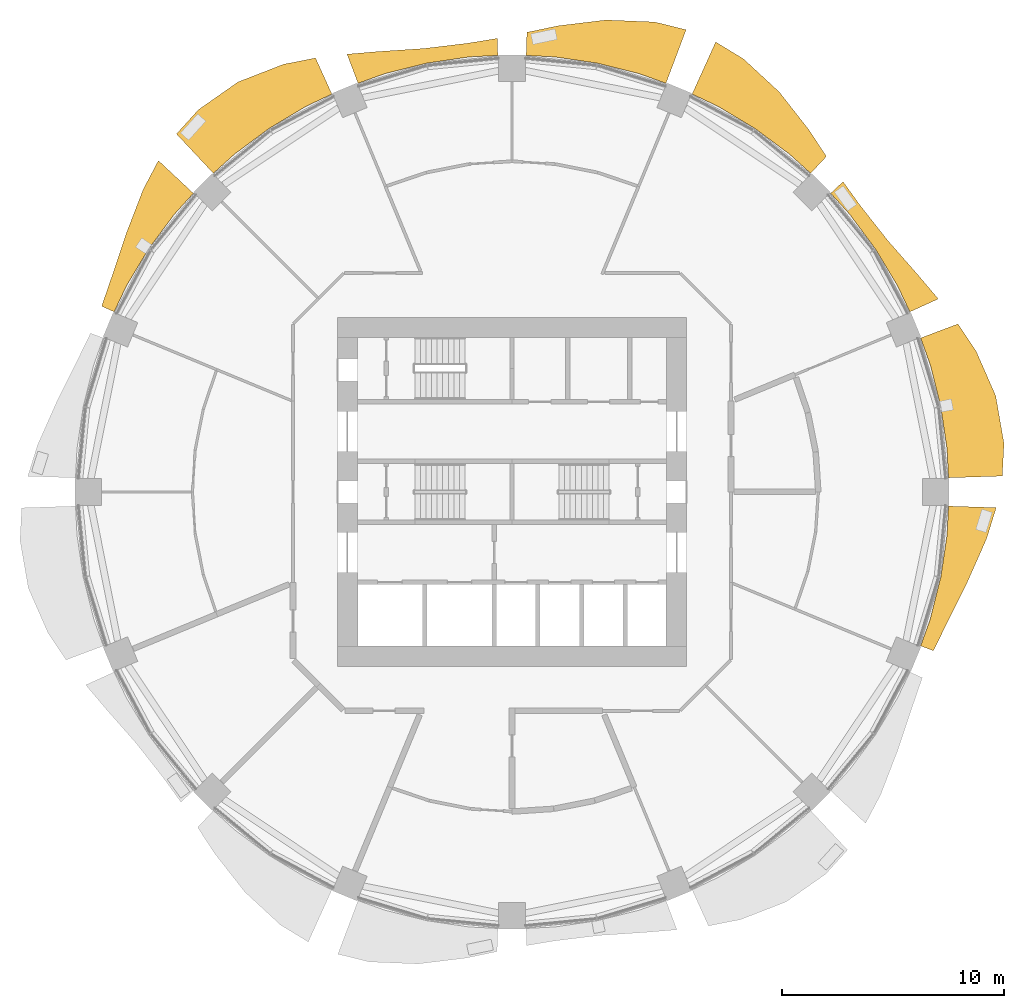
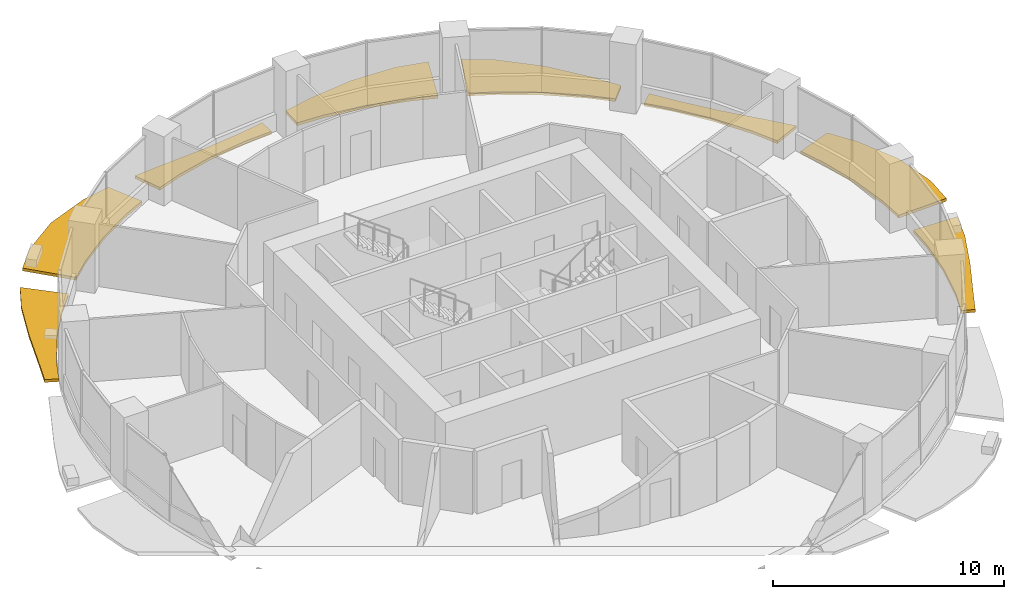
# One storey, part 14 of 15: 8 shading devices.
"""IFC4 building model written with IfcOpenShell, lengths in metres."""

from ifc_helpers import new_model, si_unit, direction, frame, origin, place, context, subcontext, project, spatial, polyline, outline, extrude, material, type_object, element, save


model = new_model("IFC4")

# Units and contexts
model_context = context("Model", 3, precision=1e-05, world=origin(), true_north=direction((0.0, 1.0)))
body_context = subcontext(model_context, "Body", "Model", "MODEL_VIEW")
ifc_project = project(units=[si_unit("LENGTHUNIT", "METRE"), si_unit("AREAUNIT", "SQUARE_METRE"), si_unit("VOLUMEUNIT", "CUBIC_METRE"), si_unit("PLANEANGLEUNIT", "RADIAN"), si_unit("MASSUNIT", "GRAM", prefix="KILO")], contexts=[model_context])

# Site, building, storey
site_placement = place(None, origin())
site = spatial("IfcSite", under=ifc_project, at=site_placement, CompositionType="ELEMENT")
building_placement = place(site_placement, origin())
building = spatial("IfcBuilding", under=site, at=building_placement, Name="Polderwave Tower", CompositionType="ELEMENT")
storey_placement = place(building_placement, frame((0.0, 0.0, 37.14990234375)))
storey = spatial("IfcBuildingStorey", under=building, at=storey_placement, Name="L09", CompositionType="ELEMENT", Elevation=37.14990234375)

# Shading devices
ifc_material = material(Name="Terracotta", Category="masonry")
shading_device_type = type_object("IfcShadingDeviceType", Name="Terracotta sunshade band", PredefinedType="USERDEFINED", material=ifc_material)
shading_device_1_placement = place(storey_placement, frame((0.0, 0.0, -0.349853515625)))
element("IfcShadingDevice", 1, at=shading_device_1_placement, inside=storey, type_object=shading_device_type, Name="Sunshade band L09 1", ObjectType="SUNSHADE", PredefinedType="USERDEFINED", context=body_context, shape_type="SweptSolid", body=[
    extrude(outline(polyline([(19.6787109375, 0.637939453125), (19.614990234375, 1.931884765625), (19.331298828125, 3.84521484375), (18.861328125, 5.721435546875), (18.4248046875, 6.94140625), (20.105712890625, 7.57470703125), (20.926513671875, 6.347900390625), (21.807861328125, 4.337890625), (22.182861328125, 2.184814453125), (22.10595703125, 0.716552734375), (19.6787109375, 0.637939453125)])), origin(), (0.0, 0.0, 1.0), 0.14990234375),
])
shading_device_2_placement = place(storey_placement, frame((0.0, 0.0, -0.349853515625)))
element("IfcShadingDevice", 2, at=shading_device_2_placement, inside=storey, type_object=shading_device_type, Name="Sunshade band L09 2", ObjectType="SUNSHADE", PredefinedType="USERDEFINED", context=body_context, shape_type="SweptSolid", body=[
    extrude(outline(polyline([(17.9365234375, 8.1201171875), (17.3828125, 9.291259765625), (16.38818359375, 10.9501953125), (15.236083984375, 12.50390625), (14.365966796875, 13.4638671875), (14.92626953125, 13.989013671875), (15.714111328125, 12.896240234375), (16.951416015625, 11.32666015625), (18.30615234375, 9.784912109375), (19.22119140625, 8.701416015625), (17.9365234375, 8.1201171875)])), origin(), (0.0, 0.0, 1.0), 0.14990234375),
])
shading_device_3_placement = place(storey_placement, frame((0.0, 0.0, -0.349853515625)))
element("IfcShadingDevice", 3, at=shading_device_3_placement, inside=storey, type_object=shading_device_type, Name="Sunshade band L09 3", ObjectType="SUNSHADE", PredefinedType="USERDEFINED", context=body_context, shape_type="SweptSolid", body=[
    extrude(outline(polyline([(13.4638671875, 14.365966796875), (12.50390625, 15.236083984375), (10.9501953125, 16.38818359375), (9.291259765625, 17.3828125), (8.1201171875, 17.9365234375), (9.184326171875, 20.28759765625), (10.4365234375, 19.525390625), (12.05029296875, 18.0341796875), (13.393310546875, 16.319580078125), (14.17529296875, 15.125), (13.4638671875, 14.365966796875)])), origin(), (0.0, 0.0, 1.0), 0.14990234375),
])
shading_device_4_placement = place(storey_placement, frame((0.0, 0.0, -0.349853515625)))
element("IfcShadingDevice", 4, at=shading_device_4_placement, inside=storey, type_object=shading_device_type, Name="Sunshade band L09 4", ObjectType="SUNSHADE", PredefinedType="USERDEFINED", context=body_context, shape_type="SweptSolid", body=[
    extrude(outline(polyline([(6.94140625, 18.4248046875), (5.721435546875, 18.861328125), (3.84521484375, 19.331298828125), (1.931884765625, 19.614990234375), (0.637939453125, 19.6787109375), (0.671875, 20.7236328125), (2.06982421875, 21.016357421875), (4.232666015625, 21.27880859375), (6.427734375, 21.189697265625), (7.8515625, 20.8408203125), (6.94140625, 18.4248046875)])), origin(), (0.0, 0.0, 1.0), 0.14990234375),
])
shading_device_5_placement = place(storey_placement, frame((0.0, 0.0, -0.349853515625)))
element("IfcShadingDevice", 5, at=shading_device_5_placement, inside=storey, type_object=shading_device_type, Name="Sunshade band L09 5", ObjectType="SUNSHADE", PredefinedType="USERDEFINED", context=body_context, shape_type="SweptSolid", body=[
    extrude(outline(polyline([(-0.637939453125, 19.6787109375), (-1.931884765625, 19.614990234375), (-3.84521484375, 19.331298828125), (-5.721435546875, 18.861328125), (-6.94140625, 18.4248046875), (-7.436279296875, 19.73828125), (-6.02392578125, 19.858154296875), (-3.976806640625, 19.9931640625), (-1.99267578125, 20.23193359375), (-0.662841796875, 20.44970703125), (-0.637939453125, 19.6787109375)])), origin(), (0.0, 0.0, 1.0), 0.14990234375),
])
shading_device_6_placement = place(storey_placement, frame((0.0, 0.0, -0.349853515625)))
element("IfcShadingDevice", 6, at=shading_device_6_placement, inside=storey, type_object=shading_device_type, Name="Sunshade band L09 6", ObjectType="SUNSHADE", PredefinedType="USERDEFINED", context=body_context, shape_type="SweptSolid", body=[
    extrude(outline(polyline([(-8.1201171875, 17.9365234375), (-9.291259765625, 17.3828125), (-10.9501953125, 16.38818359375), (-12.50390625, 15.236083984375), (-13.4638671875, 14.365966796875), (-15.127197265625, 16.140625), (-14.1416015625, 17.2314453125), (-12.351806640625, 18.48583984375), (-10.30615234375, 19.281494140625), (-8.8583984375, 19.5673828125), (-8.1201171875, 17.9365234375)])), origin(), (0.0, 0.0, 1.0), 0.14990234375),
])
shading_device_7_placement = place(storey_placement, frame((0.0, 0.0, -0.349853515625)))
element("IfcShadingDevice", 7, at=shading_device_7_placement, inside=storey, type_object=shading_device_type, Name="Sunshade band L09 7", ObjectType="SUNSHADE", PredefinedType="USERDEFINED", context=body_context, shape_type="SweptSolid", body=[
    extrude(outline(polyline([(-14.365966796875, 13.4638671875), (-15.236083984375, 12.50390625), (-16.38818359375, 10.9501953125), (-17.3828125, 9.291259765625), (-17.9365234375, 8.1201171875), (-18.5009765625, 8.37548828125), (-18.06201171875, 9.654296875), (-17.40283203125, 11.628173828125), (-16.626220703125, 13.644775390625), (-15.94189453125, 14.94091796875), (-14.365966796875, 13.4638671875)])), origin(), (0.0, 0.0, 1.0), 0.14990234375),
])
shading_device_8_placement = place(storey_placement, frame((0.0, 0.0, -0.349853515625)))
element("IfcShadingDevice", 8, at=shading_device_8_placement, inside=storey, type_object=shading_device_type, Name="Sunshade band L09 16", ObjectType="SUNSHADE", PredefinedType="USERDEFINED", context=body_context, shape_type="SweptSolid", body=[
    extrude(outline(polyline([(18.4248046875, -6.94140625), (18.861328125, -5.721435546875), (19.331298828125, -3.84521484375), (19.614990234375, -1.931884765625), (19.6787109375, -0.637939453125), (21.83203125, -0.707763671875), (21.3984375, -2.107666015625), (20.522216796875, -4.08203125), (19.594970703125, -5.944091796875), (19.00341796875, -7.1591796875), (18.4248046875, -6.94140625)])), origin(), (0.0, 0.0, 1.0), 0.14990234375),
])

save(model, "model.ifc")
